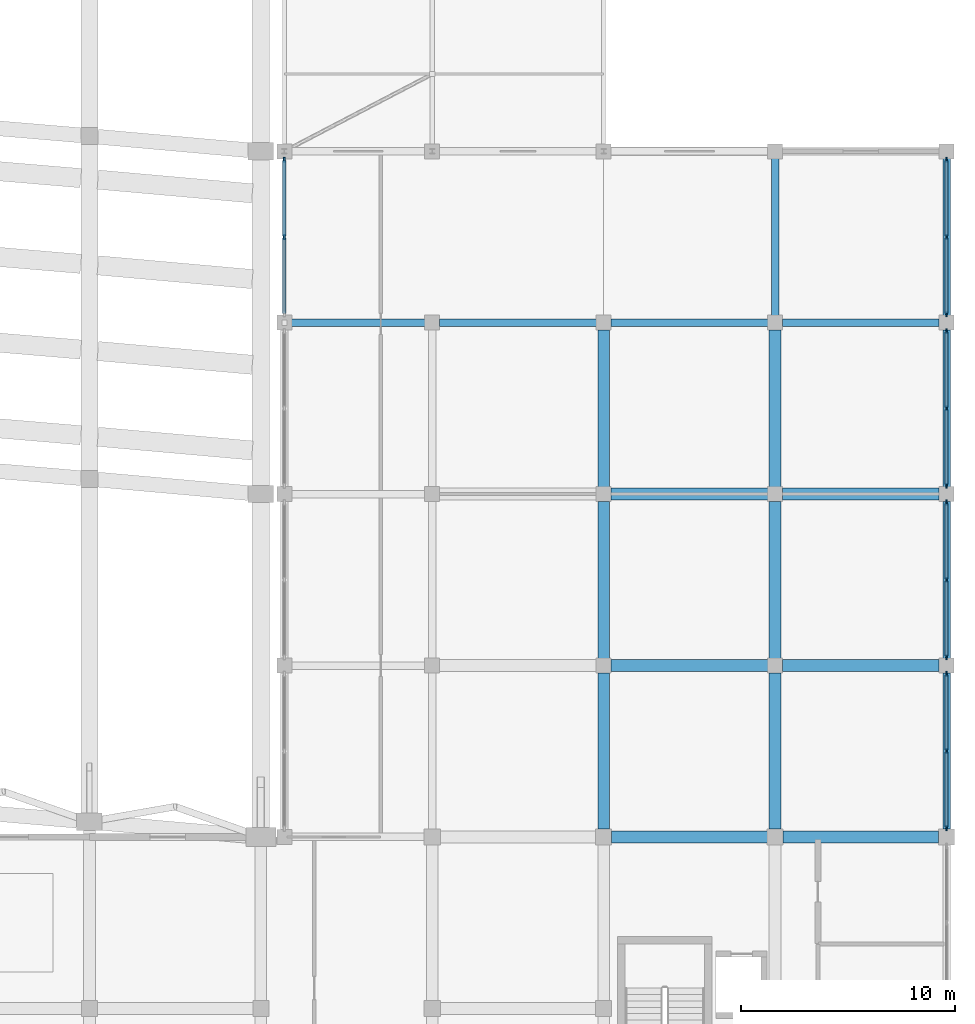
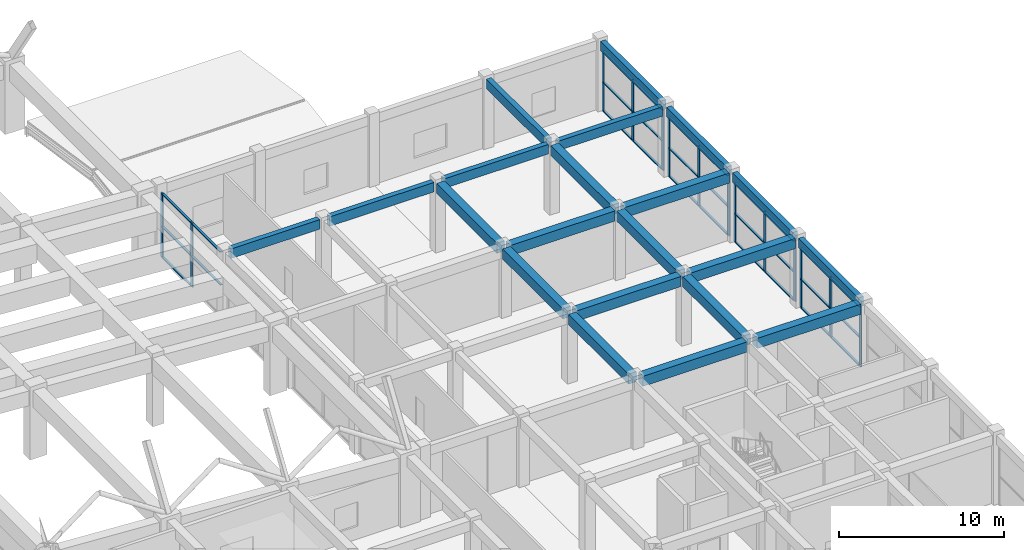
# One storey, part 38 of 69: 43 members, 21 beams, 5 elements without a shape of their own.
"""IFC4 building model written with IfcOpenShell, lengths in metres."""

from ifc_helpers import new_model, si_unit, direction, frame, origin, origin_2d, place, context, subcontext, project, spatial, rectangle, extrude, material, material_profile, profile_set, type_object, element, aggregate, save


model = new_model("IFC4")

# Units and contexts
model_context = context("Model", 3, precision=1e-05, world=origin(), true_north=direction((0.0, 1.0)))
body_context = subcontext(model_context, "Body", "Model", "MODEL_VIEW")
ifc_project = project(units=[si_unit("LENGTHUNIT", "METRE"), si_unit("AREAUNIT", "SQUARE_METRE"), si_unit("VOLUMEUNIT", "CUBIC_METRE"), si_unit("PLANEANGLEUNIT", "RADIAN"), si_unit("MASSUNIT", "GRAM", prefix="KILO")], contexts=[model_context])

# Site, building, storey
site_placement = place(None, origin())
site = spatial("IfcSite", under=ifc_project, at=site_placement, CompositionType="ELEMENT")
building_placement = place(site_placement, origin())
building = spatial("IfcBuilding", under=site, at=building_placement, Name="Kenh Van Central Station", CompositionType="ELEMENT")
storey_placement = place(building_placement, frame((0.0, 0.0, 5.39990234375)))
storey = spatial("IfcBuildingStorey", under=building, at=storey_placement, Name="L01", CompositionType="ELEMENT", Elevation=5.39990234375)

# Beams
ifc_material_1 = material(Name="Concrete C35/45", Category="concrete")
ifc_material_profile_1 = material_profile(ifc_material_1, rectangle(XDim=0.550048828125, YDim=0.75, at=origin_2d()), Name="RC 550x750")
ifc_profile_set_1 = profile_set([ifc_material_profile_1], Name="Concrete C35/45")
beam_type_1 = type_object("IfcBeamType", Name="BM-RC-550x750", PredefinedType="BEAM", material=ifc_profile_set_1)
for number, where, z_axis, x_axis, name in (
    (1, (160.364990234375, 64.0, 4.76513671875), (1.0, 0.0, 0.0), (0.0, 1.0, 0.0), "L01 beam 0739"),
    (2, (168.364990234375, 64.0, 4.76513671875), (1.0, 0.0, 0.0), (0.0, 1.0, 0.0), "L01 beam 0740"),
):
    element("IfcBeam", number, at=place(storey_placement, frame(where, z_axis=z_axis, x_axis=x_axis)), inside=storey, type_object=beam_type_1, Name=name, PredefinedType="BEAM", context=body_context, shape_type="SweptSolid", body=[
        extrude(rectangle(XDim=0.550048828125, YDim=0.75, at=origin_2d()), origin(), (0.0, 0.0, 1.0), 7.27001953125),
    ])
for number, where, z_axis, x_axis, name in (
    (3, (160.340087890625, 72.0, 4.76513671875), (1.0, 0.0, 0.0), (0.0, 1.0, 0.0), "L01 beam 0743"),
    (4, (168.340087890625, 72.0, 4.76513671875), (1.0, 0.0, 0.0), (0.0, 1.0, 0.0), "L01 beam 0744"),
    (5, (160.340087890625, 80.0, 4.76513671875), (1.0, 0.0, 0.0), (0.0, 1.0, 0.0), "L01 beam 0747"),
    (6, (168.340087890625, 80.0, 4.76513671875), (1.0, 0.0, 0.0), (0.0, 1.0, 0.0), "L01 beam 0748"),
):
    element("IfcBeam", number, at=place(storey_placement, frame(where, z_axis=z_axis, x_axis=x_axis)), inside=storey, type_object=beam_type_1, Name=name, PredefinedType="BEAM", context=body_context, shape_type="SweptSolid", body=[
        extrude(rectangle(XDim=0.550048828125, YDim=0.75, at=origin_2d()), origin(), (0.0, 0.0, 1.0), 7.31982421875),
    ])
beam_1_placement = place(storey_placement, frame((160.0, 64.364990234375, 4.76513671875), z_axis=(0.0, 1.0, 0.0), x_axis=(-1.0, 0.0, 0.0)))
element("IfcBeam", 7, at=beam_1_placement, inside=storey, type_object=beam_type_1, Name="L01 beam 0889", PredefinedType="BEAM", context=body_context, shape_type="SweptSolid", body=[
    extrude(rectangle(XDim=0.550048828125, YDim=0.75, at=origin_2d()), origin(), (0.0, 0.0, 1.0), 7.294921875),
])
for number, where, z_axis, x_axis, name in (
    (8, (160.0, 72.340087890625, 4.76513671875), (0.0, 1.0, 0.0), (-1.0, 0.0, 0.0), "L01 beam 0890"),
    (9, (160.0, 80.340087890625, 4.76513671875), (0.0, 1.0, 0.0), (-1.0, 0.0, 0.0), "L01 beam 0891"),
):
    element("IfcBeam", number, at=place(storey_placement, frame(where, z_axis=z_axis, x_axis=x_axis)), inside=storey, type_object=beam_type_1, Name=name, PredefinedType="BEAM", context=body_context, shape_type="SweptSolid", body=[
        extrude(rectangle(XDim=0.550048828125, YDim=0.75, at=origin_2d()), origin(), (0.0, 0.0, 1.0), 7.31982421875),
    ])
beam_2_placement = place(storey_placement, frame((168.0, 64.364990234375, 4.76513671875), z_axis=(0.0, 1.0, 0.0), x_axis=(-1.0, 0.0, 0.0)))
element("IfcBeam", 10, at=beam_2_placement, inside=storey, type_object=beam_type_1, Name="L01 beam 0899", PredefinedType="BEAM", context=body_context, shape_type="SweptSolid", body=[
    extrude(rectangle(XDim=0.550048828125, YDim=0.75, at=origin_2d()), origin(), (0.0, 0.0, 1.0), 7.294921875),
])
for number, where, z_axis, x_axis, name in (
    (11, (168.0, 72.340087890625, 4.76513671875), (0.0, 1.0, 0.0), (-1.0, 0.0, 0.0), "L01 beam 0900"),
    (12, (168.0, 80.340087890625, 4.76513671875), (0.0, 1.0, 0.0), (-1.0, 0.0, 0.0), "L01 beam 0901"),
):
    element("IfcBeam", number, at=place(storey_placement, frame(where, z_axis=z_axis, x_axis=x_axis)), inside=storey, type_object=beam_type_1, Name=name, PredefinedType="BEAM", context=body_context, shape_type="SweptSolid", body=[
        extrude(rectangle(XDim=0.550048828125, YDim=0.75, at=origin_2d()), origin(), (0.0, 0.0, 1.0), 7.31982421875),
    ])

# Curtain wall, members
ifc_material_2 = material(Name="Champagne anodised aluminium", Category="aluminium")
curtain_wall_type_1 = type_object("IfcCurtainWallType", Name="CW-OPER-A", PredefinedType="NOTDEFINED", material=ifc_material_2)
curtain_wall_1_placement = place(storey_placement, origin())
curtain_wall_1 = element("IfcCurtainWall", 13, at=curtain_wall_1_placement, inside=storey, type_object=curtain_wall_type_1, Name="L01 curtain wall 144", PredefinedType="NOTDEFINED")
ifc_material_profile_2 = material_profile(ifc_material_2, rectangle(XDim=0.087890625, YDim=0.239990234375, at=origin_2d()), Name="AL 88x240")
ifc_profile_set_2 = profile_set([ifc_material_profile_2], Name="Champagne anodised aluminium")
member_type_1 = type_object("IfcMemberType", Name="CWM-60x140", PredefinedType="MULLION", material=ifc_profile_set_2)
member_1_placement = place(storey_placement, frame((176.0, 64.4189453125, 0.0), z_axis=(0.0, 0.0, 1.0), x_axis=(-1.0, 0.0, 0.0)))
member_1 = element("IfcMember", 14, at=member_1_placement, type_object=member_type_1, Name="CW-07 mullion 1", PredefinedType="MULLION", context=body_context, shape_type="SweptSolid", body=[
    extrude(rectangle(XDim=0.087890625, YDim=0.239990234375, at=origin_2d()), origin(), (0.0, 0.0, 1.0), 4.440185546875),
])
member_2_placement = place(storey_placement, frame((176.0, 68.012451171875, 0.0), z_axis=(0.0, 0.0, 1.0), x_axis=(-1.0, 0.0, 0.0)))
member_2 = element("IfcMember", 15, at=member_2_placement, type_object=member_type_1, Name="CW-07 mullion 2", PredefinedType="MULLION", context=body_context, shape_type="SweptSolid", body=[
    extrude(rectangle(XDim=0.087890625, YDim=0.239990234375, at=origin_2d()), origin(), (0.0, 0.0, 1.0), 4.440185546875),
])
member_3_placement = place(storey_placement, frame((176.0, 71.60595703125, 0.0), z_axis=(0.0, 0.0, 1.0), x_axis=(-1.0, 0.0, 0.0)))
member_3 = element("IfcMember", 16, at=member_3_placement, type_object=member_type_1, Name="CW-07 mullion 3", PredefinedType="MULLION", context=body_context, shape_type="SweptSolid", body=[
    extrude(rectangle(XDim=0.087890625, YDim=0.239990234375, at=origin_2d()), origin(), (0.0, 0.0, 1.0), 4.440185546875),
])

curtain_wall_2_placement = place(storey_placement, origin())
curtain_wall_2 = element("IfcCurtainWall", 17, at=curtain_wall_2_placement, inside=storey, type_object=curtain_wall_type_1, Name="L01 curtain wall 145", PredefinedType="NOTDEFINED")
member_4_placement = place(storey_placement, frame((176.0, 72.39404296875, 0.0), z_axis=(0.0, 0.0, 1.0), x_axis=(-1.0, 0.0, 0.0)))
member_4 = element("IfcMember", 18, at=member_4_placement, type_object=member_type_1, Name="CW-07 mullion 1", PredefinedType="MULLION", context=body_context, shape_type="SweptSolid", body=[
    extrude(rectangle(XDim=0.087890625, YDim=0.239990234375, at=origin_2d()), origin(), (0.0, 0.0, 1.0), 4.440185546875),
])
member_5_placement = place(storey_placement, frame((176.0, 76.0, 0.0), z_axis=(0.0, 0.0, 1.0), x_axis=(-1.0, 0.0, 0.0)))
member_5 = element("IfcMember", 19, at=member_5_placement, type_object=member_type_1, Name="CW-07 mullion 2", PredefinedType="MULLION", context=body_context, shape_type="SweptSolid", body=[
    extrude(rectangle(XDim=0.087890625, YDim=0.239990234375, at=origin_2d()), origin(), (0.0, 0.0, 1.0), 4.440185546875),
])
member_6_placement = place(storey_placement, frame((176.0, 79.60595703125, 0.0), z_axis=(0.0, 0.0, 1.0), x_axis=(-1.0, 0.0, 0.0)))
member_6 = element("IfcMember", 20, at=member_6_placement, type_object=member_type_1, Name="CW-07 mullion 3", PredefinedType="MULLION", context=body_context, shape_type="SweptSolid", body=[
    extrude(rectangle(XDim=0.087890625, YDim=0.239990234375, at=origin_2d()), origin(), (0.0, 0.0, 1.0), 4.440185546875),
])

curtain_wall_3_placement = place(storey_placement, origin())
curtain_wall_3 = element("IfcCurtainWall", 21, at=curtain_wall_3_placement, inside=storey, type_object=curtain_wall_type_1, Name="L01 curtain wall 146", PredefinedType="NOTDEFINED")
member_7_placement = place(storey_placement, frame((176.0, 80.39404296875, 0.0), z_axis=(0.0, 0.0, 1.0), x_axis=(-1.0, 0.0, 0.0)))
member_7 = element("IfcMember", 22, at=member_7_placement, type_object=member_type_1, Name="CW-07 mullion 1", PredefinedType="MULLION", context=body_context, shape_type="SweptSolid", body=[
    extrude(rectangle(XDim=0.087890625, YDim=0.239990234375, at=origin_2d()), origin(), (0.0, 0.0, 1.0), 4.440185546875),
])
member_8_placement = place(storey_placement, frame((176.0, 84.0, 0.0), z_axis=(0.0, 0.0, 1.0), x_axis=(-1.0, 0.0, 0.0)))
member_8 = element("IfcMember", 23, at=member_8_placement, type_object=member_type_1, Name="CW-07 mullion 2", PredefinedType="MULLION", context=body_context, shape_type="SweptSolid", body=[
    extrude(rectangle(XDim=0.087890625, YDim=0.239990234375, at=origin_2d()), origin(), (0.0, 0.0, 1.0), 4.440185546875),
])
member_9_placement = place(storey_placement, frame((176.0, 87.60595703125, 0.0), z_axis=(0.0, 0.0, 1.0), x_axis=(-1.0, 0.0, 0.0)))
member_9 = element("IfcMember", 24, at=member_9_placement, type_object=member_type_1, Name="CW-07 mullion 3", PredefinedType="MULLION", context=body_context, shape_type="SweptSolid", body=[
    extrude(rectangle(XDim=0.087890625, YDim=0.239990234375, at=origin_2d()), origin(), (0.0, 0.0, 1.0), 4.440185546875),
])

curtain_wall_4_placement = place(storey_placement, origin())
curtain_wall_4 = element("IfcCurtainWall", 25, at=curtain_wall_4_placement, inside=storey, type_object=curtain_wall_type_1, Name="L01 curtain wall 147", PredefinedType="NOTDEFINED")
member_10_placement = place(storey_placement, frame((176.0, 88.39404296875, 0.0), z_axis=(0.0, 0.0, 1.0), x_axis=(-1.0, 0.0, 0.0)))
member_10 = element("IfcMember", 26, at=member_10_placement, type_object=member_type_1, Name="CW-07 mullion 1", PredefinedType="MULLION", context=body_context, shape_type="SweptSolid", body=[
    extrude(rectangle(XDim=0.087890625, YDim=0.239990234375, at=origin_2d()), origin(), (0.0, 0.0, 1.0), 4.47998046875),
])
member_11_placement = place(storey_placement, frame((176.0, 92.0, 0.0), z_axis=(0.0, 0.0, 1.0), x_axis=(-1.0, 0.0, 0.0)))
member_11 = element("IfcMember", 27, at=member_11_placement, type_object=member_type_1, Name="CW-07 mullion 2", PredefinedType="MULLION", context=body_context, shape_type="SweptSolid", body=[
    extrude(rectangle(XDim=0.087890625, YDim=0.239990234375, at=origin_2d()), origin(), (0.0, 0.0, 1.0), 4.47998046875),
])
member_12_placement = place(storey_placement, frame((176.0, 95.60595703125, 0.0), z_axis=(0.0, 0.0, 1.0), x_axis=(-1.0, 0.0, 0.0)))
member_12 = element("IfcMember", 28, at=member_12_placement, type_object=member_type_1, Name="CW-07 mullion 3", PredefinedType="MULLION", context=body_context, shape_type="SweptSolid", body=[
    extrude(rectangle(XDim=0.087890625, YDim=0.239990234375, at=origin_2d()), origin(), (0.0, 0.0, 1.0), 4.47998046875),
])

curtain_wall_type_2 = type_object("IfcCurtainWallType", Name="CW-OPER-B", PredefinedType="NOTDEFINED", material=ifc_material_2)
curtain_wall_5_placement = place(storey_placement, origin())
curtain_wall_5 = element("IfcCurtainWall", 29, at=curtain_wall_5_placement, inside=storey, type_object=curtain_wall_type_2, Name="L01 curtain wall 148", PredefinedType="NOTDEFINED")
member_13_placement = place(storey_placement, frame((145.10009765625, 95.60595703125, 0.0), z_axis=(0.0, 0.0, 1.0), x_axis=(1.0, 0.0, 0.0)))
member_13 = element("IfcMember", 30, at=member_13_placement, type_object=member_type_1, Name="CW-08 mullion 1", PredefinedType="MULLION", context=body_context, shape_type="SweptSolid", body=[
    extrude(rectangle(XDim=0.087890625, YDim=0.239990234375, at=origin_2d()), origin(), (0.0, 0.0, 1.0), 4.755615234375),
])
member_14_placement = place(storey_placement, frame((145.10009765625, 92.0, 0.0), z_axis=(0.0, 0.0, 1.0), x_axis=(1.0, 0.0, 0.0)))
member_14 = element("IfcMember", 31, at=member_14_placement, type_object=member_type_1, Name="CW-08 mullion 2", PredefinedType="MULLION", context=body_context, shape_type="SweptSolid", body=[
    extrude(rectangle(XDim=0.087890625, YDim=0.239990234375, at=origin_2d()), origin(), (0.0, 0.0, 1.0), 4.755615234375),
])

# Member
ifc_material_profile_3 = material_profile(ifc_material_2, rectangle(XDim=0.155029296875, YDim=0.072021484375, at=origin_2d()), Name="AL 155x72")
ifc_profile_set_3 = profile_set([ifc_material_profile_3], Name="Champagne anodised aluminium")
member_type_2 = type_object("IfcMemberType", Name="CWT-120x60", PredefinedType="USERDEFINED", material=ifc_profile_set_3)
member_15_placement = place(storey_placement, frame((176.0, 64.462890625, 0.0361328125), z_axis=(0.0, 1.0, 0.0), x_axis=(-1.0, 0.0, 0.0)))
member_15 = element("IfcMember", 32, at=member_15_placement, type_object=member_type_2, Name="CW-07 transom 1.1", ObjectType="TRANSOM", PredefinedType="USERDEFINED", context=body_context, shape_type="SweptSolid", body=[
    extrude(rectangle(XDim=0.155029296875, YDim=0.072021484375, at=origin_2d()), origin(), (0.0, 0.0, 1.0), 3.505615234375),
])

member_16_placement = place(storey_placement, frame((176.0, 64.462890625, 2.13134765625), z_axis=(0.0, 1.0, 0.0), x_axis=(-1.0, 0.0, 0.0)))
member_16 = element("IfcMember", 33, at=member_16_placement, type_object=member_type_2, Name="CW-07 transom 1.2", ObjectType="TRANSOM", PredefinedType="USERDEFINED", context=body_context, shape_type="SweptSolid", body=[
    extrude(rectangle(XDim=0.155029296875, YDim=0.072021484375, at=origin_2d()), origin(), (0.0, 0.0, 1.0), 3.505615234375),
])

member_17_placement = place(storey_placement, frame((176.0, 64.462890625, 4.404052734375), z_axis=(0.0, 1.0, 0.0), x_axis=(-1.0, 0.0, 0.0)))
member_17 = element("IfcMember", 34, at=member_17_placement, type_object=member_type_2, Name="CW-07 transom 1.3", ObjectType="TRANSOM", PredefinedType="USERDEFINED", context=body_context, shape_type="SweptSolid", body=[
    extrude(rectangle(XDim=0.155029296875, YDim=0.072021484375, at=origin_2d()), origin(), (0.0, 0.0, 1.0), 3.505615234375),
])

member_18_placement = place(storey_placement, frame((176.0, 68.056396484375, 0.0361328125), z_axis=(0.0, 1.0, 0.0), x_axis=(-1.0, 0.0, 0.0)))
member_18 = element("IfcMember", 35, at=member_18_placement, type_object=member_type_2, Name="CW-07 transom 2.1", ObjectType="TRANSOM", PredefinedType="USERDEFINED", context=body_context, shape_type="SweptSolid", body=[
    extrude(rectangle(XDim=0.155029296875, YDim=0.072021484375, at=origin_2d()), origin(), (0.0, 0.0, 1.0), 3.505615234375),
])

member_19_placement = place(storey_placement, frame((176.0, 68.056396484375, 2.13134765625), z_axis=(0.0, 1.0, 0.0), x_axis=(-1.0, 0.0, 0.0)))
member_19 = element("IfcMember", 36, at=member_19_placement, type_object=member_type_2, Name="CW-07 transom 2.2", ObjectType="TRANSOM", PredefinedType="USERDEFINED", context=body_context, shape_type="SweptSolid", body=[
    extrude(rectangle(XDim=0.155029296875, YDim=0.072021484375, at=origin_2d()), origin(), (0.0, 0.0, 1.0), 3.505615234375),
])

member_20_placement = place(storey_placement, frame((176.0, 68.056396484375, 4.404052734375), z_axis=(0.0, 1.0, 0.0), x_axis=(-1.0, 0.0, 0.0)))
member_20 = element("IfcMember", 37, at=member_20_placement, type_object=member_type_2, Name="CW-07 transom 2.3", ObjectType="TRANSOM", PredefinedType="USERDEFINED", context=body_context, shape_type="SweptSolid", body=[
    extrude(rectangle(XDim=0.155029296875, YDim=0.072021484375, at=origin_2d()), origin(), (0.0, 0.0, 1.0), 3.505615234375),
])

aggregate(curtain_wall_1, [member_1, member_2, member_3, member_15, member_16, member_17, member_18, member_19, member_20])

member_21_placement = place(storey_placement, frame((176.0, 72.43798828125, 0.0361328125), z_axis=(0.0, 1.0, 0.0), x_axis=(-1.0, 0.0, 0.0)))
member_21 = element("IfcMember", 38, at=member_21_placement, type_object=member_type_2, Name="CW-07 transom 1.1", ObjectType="TRANSOM", PredefinedType="USERDEFINED", context=body_context, shape_type="SweptSolid", body=[
    extrude(rectangle(XDim=0.155029296875, YDim=0.072021484375, at=origin_2d()), origin(), (0.0, 0.0, 1.0), 3.51806640625),
])

member_22_placement = place(storey_placement, frame((176.0, 72.43798828125, 2.13134765625), z_axis=(0.0, 1.0, 0.0), x_axis=(-1.0, 0.0, 0.0)))
member_22 = element("IfcMember", 39, at=member_22_placement, type_object=member_type_2, Name="CW-07 transom 1.2", ObjectType="TRANSOM", PredefinedType="USERDEFINED", context=body_context, shape_type="SweptSolid", body=[
    extrude(rectangle(XDim=0.155029296875, YDim=0.072021484375, at=origin_2d()), origin(), (0.0, 0.0, 1.0), 3.51806640625),
])

member_23_placement = place(storey_placement, frame((176.0, 72.43798828125, 4.404052734375), z_axis=(0.0, 1.0, 0.0), x_axis=(-1.0, 0.0, 0.0)))
member_23 = element("IfcMember", 40, at=member_23_placement, type_object=member_type_2, Name="CW-07 transom 1.3", ObjectType="TRANSOM", PredefinedType="USERDEFINED", context=body_context, shape_type="SweptSolid", body=[
    extrude(rectangle(XDim=0.155029296875, YDim=0.072021484375, at=origin_2d()), origin(), (0.0, 0.0, 1.0), 3.51806640625),
])

member_24_placement = place(storey_placement, frame((176.0, 76.0439453125, 0.0361328125), z_axis=(0.0, 1.0, 0.0), x_axis=(-1.0, 0.0, 0.0)))
member_24 = element("IfcMember", 41, at=member_24_placement, type_object=member_type_2, Name="CW-07 transom 2.1", ObjectType="TRANSOM", PredefinedType="USERDEFINED", context=body_context, shape_type="SweptSolid", body=[
    extrude(rectangle(XDim=0.155029296875, YDim=0.072021484375, at=origin_2d()), origin(), (0.0, 0.0, 1.0), 3.51806640625),
])

member_25_placement = place(storey_placement, frame((176.0, 76.0439453125, 2.13134765625), z_axis=(0.0, 1.0, 0.0), x_axis=(-1.0, 0.0, 0.0)))
member_25 = element("IfcMember", 42, at=member_25_placement, type_object=member_type_2, Name="CW-07 transom 2.2", ObjectType="TRANSOM", PredefinedType="USERDEFINED", context=body_context, shape_type="SweptSolid", body=[
    extrude(rectangle(XDim=0.155029296875, YDim=0.072021484375, at=origin_2d()), origin(), (0.0, 0.0, 1.0), 3.51806640625),
])

member_26_placement = place(storey_placement, frame((176.0, 76.0439453125, 4.404052734375), z_axis=(0.0, 1.0, 0.0), x_axis=(-1.0, 0.0, 0.0)))
member_26 = element("IfcMember", 43, at=member_26_placement, type_object=member_type_2, Name="CW-07 transom 2.3", ObjectType="TRANSOM", PredefinedType="USERDEFINED", context=body_context, shape_type="SweptSolid", body=[
    extrude(rectangle(XDim=0.155029296875, YDim=0.072021484375, at=origin_2d()), origin(), (0.0, 0.0, 1.0), 3.51806640625),
])

aggregate(curtain_wall_2, [member_4, member_5, member_6, member_21, member_22, member_23, member_24, member_25, member_26])

member_27_placement = place(storey_placement, frame((176.0, 80.43798828125, 0.0361328125), z_axis=(0.0, 1.0, 0.0), x_axis=(-1.0, 0.0, 0.0)))
member_27 = element("IfcMember", 44, at=member_27_placement, type_object=member_type_2, Name="CW-07 transom 1.1", ObjectType="TRANSOM", PredefinedType="USERDEFINED", context=body_context, shape_type="SweptSolid", body=[
    extrude(rectangle(XDim=0.155029296875, YDim=0.072021484375, at=origin_2d()), origin(), (0.0, 0.0, 1.0), 3.51806640625),
])

member_28_placement = place(storey_placement, frame((176.0, 80.43798828125, 2.13134765625), z_axis=(0.0, 1.0, 0.0), x_axis=(-1.0, 0.0, 0.0)))
member_28 = element("IfcMember", 45, at=member_28_placement, type_object=member_type_2, Name="CW-07 transom 1.2", ObjectType="TRANSOM", PredefinedType="USERDEFINED", context=body_context, shape_type="SweptSolid", body=[
    extrude(rectangle(XDim=0.155029296875, YDim=0.072021484375, at=origin_2d()), origin(), (0.0, 0.0, 1.0), 3.51806640625),
])

member_29_placement = place(storey_placement, frame((176.0, 80.43798828125, 4.404052734375), z_axis=(0.0, 1.0, 0.0), x_axis=(-1.0, 0.0, 0.0)))
member_29 = element("IfcMember", 46, at=member_29_placement, type_object=member_type_2, Name="CW-07 transom 1.3", ObjectType="TRANSOM", PredefinedType="USERDEFINED", context=body_context, shape_type="SweptSolid", body=[
    extrude(rectangle(XDim=0.155029296875, YDim=0.072021484375, at=origin_2d()), origin(), (0.0, 0.0, 1.0), 3.51806640625),
])

member_30_placement = place(storey_placement, frame((176.0, 84.0439453125, 0.0361328125), z_axis=(0.0, 1.0, 0.0), x_axis=(-1.0, 0.0, 0.0)))
member_30 = element("IfcMember", 47, at=member_30_placement, type_object=member_type_2, Name="CW-07 transom 2.1", ObjectType="TRANSOM", PredefinedType="USERDEFINED", context=body_context, shape_type="SweptSolid", body=[
    extrude(rectangle(XDim=0.155029296875, YDim=0.072021484375, at=origin_2d()), origin(), (0.0, 0.0, 1.0), 3.51806640625),
])

member_31_placement = place(storey_placement, frame((176.0, 84.0439453125, 2.13134765625), z_axis=(0.0, 1.0, 0.0), x_axis=(-1.0, 0.0, 0.0)))
member_31 = element("IfcMember", 48, at=member_31_placement, type_object=member_type_2, Name="CW-07 transom 2.2", ObjectType="TRANSOM", PredefinedType="USERDEFINED", context=body_context, shape_type="SweptSolid", body=[
    extrude(rectangle(XDim=0.155029296875, YDim=0.072021484375, at=origin_2d()), origin(), (0.0, 0.0, 1.0), 3.51806640625),
])

member_32_placement = place(storey_placement, frame((176.0, 84.0439453125, 4.404052734375), z_axis=(0.0, 1.0, 0.0), x_axis=(-1.0, 0.0, 0.0)))
member_32 = element("IfcMember", 49, at=member_32_placement, type_object=member_type_2, Name="CW-07 transom 2.3", ObjectType="TRANSOM", PredefinedType="USERDEFINED", context=body_context, shape_type="SweptSolid", body=[
    extrude(rectangle(XDim=0.155029296875, YDim=0.072021484375, at=origin_2d()), origin(), (0.0, 0.0, 1.0), 3.51806640625),
])

aggregate(curtain_wall_3, [member_7, member_8, member_9, member_27, member_28, member_29, member_30, member_31, member_32])

member_33_placement = place(storey_placement, frame((176.0, 88.43798828125, 0.0361328125), z_axis=(0.0, 1.0, 0.0), x_axis=(-1.0, 0.0, 0.0)))
member_33 = element("IfcMember", 50, at=member_33_placement, type_object=member_type_2, Name="CW-07 transom 1.1", ObjectType="TRANSOM", PredefinedType="USERDEFINED", context=body_context, shape_type="SweptSolid", body=[
    extrude(rectangle(XDim=0.155029296875, YDim=0.072021484375, at=origin_2d()), origin(), (0.0, 0.0, 1.0), 3.51806640625),
])

member_34_placement = place(storey_placement, frame((176.0, 88.43798828125, 2.150390625), z_axis=(0.0, 1.0, 0.0), x_axis=(-1.0, 0.0, 0.0)))
member_34 = element("IfcMember", 51, at=member_34_placement, type_object=member_type_2, Name="CW-07 transom 1.2", ObjectType="TRANSOM", PredefinedType="USERDEFINED", context=body_context, shape_type="SweptSolid", body=[
    extrude(rectangle(XDim=0.155029296875, YDim=0.072021484375, at=origin_2d()), origin(), (0.0, 0.0, 1.0), 3.51806640625),
])

member_35_placement = place(storey_placement, frame((176.0, 88.43798828125, 4.444091796875), z_axis=(0.0, 1.0, 0.0), x_axis=(-1.0, 0.0, 0.0)))
member_35 = element("IfcMember", 52, at=member_35_placement, type_object=member_type_2, Name="CW-07 transom 1.3", ObjectType="TRANSOM", PredefinedType="USERDEFINED", context=body_context, shape_type="SweptSolid", body=[
    extrude(rectangle(XDim=0.155029296875, YDim=0.072021484375, at=origin_2d()), origin(), (0.0, 0.0, 1.0), 3.51806640625),
])

member_36_placement = place(storey_placement, frame((176.0, 92.0439453125, 0.0361328125), z_axis=(0.0, 1.0, 0.0), x_axis=(-1.0, 0.0, 0.0)))
member_36 = element("IfcMember", 53, at=member_36_placement, type_object=member_type_2, Name="CW-07 transom 2.1", ObjectType="TRANSOM", PredefinedType="USERDEFINED", context=body_context, shape_type="SweptSolid", body=[
    extrude(rectangle(XDim=0.155029296875, YDim=0.072021484375, at=origin_2d()), origin(), (0.0, 0.0, 1.0), 3.51806640625),
])

member_37_placement = place(storey_placement, frame((176.0, 92.0439453125, 2.150390625), z_axis=(0.0, 1.0, 0.0), x_axis=(-1.0, 0.0, 0.0)))
member_37 = element("IfcMember", 54, at=member_37_placement, type_object=member_type_2, Name="CW-07 transom 2.2", ObjectType="TRANSOM", PredefinedType="USERDEFINED", context=body_context, shape_type="SweptSolid", body=[
    extrude(rectangle(XDim=0.155029296875, YDim=0.072021484375, at=origin_2d()), origin(), (0.0, 0.0, 1.0), 3.51806640625),
])

member_38_placement = place(storey_placement, frame((176.0, 92.0439453125, 4.444091796875), z_axis=(0.0, 1.0, 0.0), x_axis=(-1.0, 0.0, 0.0)))
member_38 = element("IfcMember", 55, at=member_38_placement, type_object=member_type_2, Name="CW-07 transom 2.3", ObjectType="TRANSOM", PredefinedType="USERDEFINED", context=body_context, shape_type="SweptSolid", body=[
    extrude(rectangle(XDim=0.155029296875, YDim=0.072021484375, at=origin_2d()), origin(), (0.0, 0.0, 1.0), 3.51806640625),
])

aggregate(curtain_wall_4, [member_10, member_11, member_12, member_33, member_34, member_35, member_36, member_37, member_38])

member_39_placement = place(storey_placement, frame((145.10009765625, 95.56201171875, 0.0361328125), z_axis=(0.0, -1.0, 0.0), x_axis=(1.0, 0.0, 0.0)))
member_39 = element("IfcMember", 56, at=member_39_placement, type_object=member_type_2, Name="CW-08 transom 1.1", ObjectType="TRANSOM", PredefinedType="USERDEFINED", context=body_context, shape_type="SweptSolid", body=[
    extrude(rectangle(XDim=0.155029296875, YDim=0.072021484375, at=origin_2d()), origin(), (0.0, 0.0, 1.0), 3.51806640625),
])

member_40_placement = place(storey_placement, frame((145.10009765625, 95.56201171875, 2.28271484375), z_axis=(0.0, -1.0, 0.0), x_axis=(1.0, 0.0, 0.0)))
member_40 = element("IfcMember", 57, at=member_40_placement, type_object=member_type_2, Name="CW-08 transom 1.2", ObjectType="TRANSOM", PredefinedType="USERDEFINED", context=body_context, shape_type="SweptSolid", body=[
    extrude(rectangle(XDim=0.155029296875, YDim=0.072021484375, at=origin_2d()), origin(), (0.0, 0.0, 1.0), 3.51806640625),
])

member_41_placement = place(storey_placement, frame((145.10009765625, 95.56201171875, 4.7197265625), z_axis=(0.0, -1.0, 0.0), x_axis=(1.0, 0.0, 0.0)))
member_41 = element("IfcMember", 58, at=member_41_placement, type_object=member_type_2, Name="CW-08 transom 1.3", ObjectType="TRANSOM", PredefinedType="USERDEFINED", context=body_context, shape_type="SweptSolid", body=[
    extrude(rectangle(XDim=0.155029296875, YDim=0.072021484375, at=origin_2d()), origin(), (0.0, 0.0, 1.0), 3.51806640625),
])

member_42_placement = place(storey_placement, frame((145.10009765625, 91.9560546875, 2.28271484375), z_axis=(0.0, -1.0, 0.0), x_axis=(1.0, 0.0, 0.0)))
member_42 = element("IfcMember", 59, at=member_42_placement, type_object=member_type_2, Name="CW-08 transom 2.2", ObjectType="TRANSOM", PredefinedType="USERDEFINED", context=body_context, shape_type="SweptSolid", body=[
    extrude(rectangle(XDim=0.155029296875, YDim=0.072021484375, at=origin_2d()), origin(), (0.0, 0.0, 1.0), 3.51806640625),
])

member_43_placement = place(storey_placement, frame((145.10009765625, 91.9560546875, 4.7197265625), z_axis=(0.0, -1.0, 0.0), x_axis=(1.0, 0.0, 0.0)))
member_43 = element("IfcMember", 60, at=member_43_placement, type_object=member_type_2, Name="CW-08 transom 2.3", ObjectType="TRANSOM", PredefinedType="USERDEFINED", context=body_context, shape_type="SweptSolid", body=[
    extrude(rectangle(XDim=0.155029296875, YDim=0.072021484375, at=origin_2d()), origin(), (0.0, 0.0, 1.0), 3.51806640625),
])

aggregate(curtain_wall_5, [member_13, member_14, member_39, member_40, member_41, member_42, member_43])

# Beams
ifc_material_profile_4 = material_profile(ifc_material_1, rectangle(XDim=0.35009765625, YDim=0.699951171875, at=origin_2d()), Name="RC 350x700")
ifc_profile_set_4 = profile_set([ifc_material_profile_4], Name="Concrete C35/45")
beam_type_2 = type_object("IfcBeamType", Name="SPD-RC-350x700", PredefinedType="SPANDREL", material=ifc_profile_set_4)
beam_3_placement = place(storey_placement, frame((145.43994140625, 88.0, 4.830078125), z_axis=(1.0, 0.0, 0.0), x_axis=(0.0, 1.0, 0.0)))
element("IfcBeam", 61, at=beam_3_placement, inside=storey, type_object=beam_type_2, Name="L01 beam 0749", PredefinedType="SPANDREL", context=body_context, shape_type="SweptSolid", body=[
    extrude(rectangle(XDim=0.35009765625, YDim=0.699951171875, at=origin_2d()), origin(), (0.0, 0.0, 1.0), 6.219970703125),
])
for number, where, z_axis, x_axis, name in (
    (62, (152.340087890625, 88.0, 4.7900390625), (1.0, 0.0, 0.0), (0.0, 1.0, 0.0), "L01 beam 0750"),
    (63, (160.340087890625, 88.0, 4.7900390625), (1.0, 0.0, 0.0), (0.0, 1.0, 0.0), "L01 beam 0751"),
    (64, (168.340087890625, 88.0, 4.7900390625), (1.0, 0.0, 0.0), (0.0, 1.0, 0.0), "L01 beam 0752"),
    (65, (168.0, 88.340087890625, 4.830078125), (0.0, 1.0, 0.0), (-1.0, 0.0, 0.0), "L01 beam 0902"),
):
    element("IfcBeam", number, at=place(storey_placement, frame(where, z_axis=z_axis, x_axis=x_axis)), inside=storey, type_object=beam_type_2, Name=name, PredefinedType="SPANDREL", context=body_context, shape_type="SweptSolid", body=[
        extrude(rectangle(XDim=0.35009765625, YDim=0.699951171875, at=origin_2d()), origin(), (0.0, 0.0, 1.0), 7.31982421875),
    ])
beam_4_placement = place(storey_placement, frame((176.0, 64.364990234375, 4.7900390625), z_axis=(0.0, 1.0, 0.0), x_axis=(-1.0, 0.0, 0.0)))
element("IfcBeam", 66, at=beam_4_placement, inside=storey, type_object=beam_type_2, Name="L01 beam 0910", PredefinedType="SPANDREL", context=body_context, shape_type="SweptSolid", body=[
    extrude(rectangle(XDim=0.35009765625, YDim=0.699951171875, at=origin_2d()), origin(), (0.0, 0.0, 1.0), 7.294921875),
])
for number, where, z_axis, x_axis, name in (
    (67, (176.0, 72.340087890625, 4.7900390625), (0.0, 1.0, 0.0), (-1.0, 0.0, 0.0), "L01 beam 0911"),
    (68, (176.0, 80.340087890625, 4.7900390625), (0.0, 1.0, 0.0), (-1.0, 0.0, 0.0), "L01 beam 0912"),
    (69, (176.0, 88.340087890625, 4.830078125), (0.0, 1.0, 0.0), (-1.0, 0.0, 0.0), "L01 beam 0913"),
):
    element("IfcBeam", number, at=place(storey_placement, frame(where, z_axis=z_axis, x_axis=x_axis)), inside=storey, type_object=beam_type_2, Name=name, PredefinedType="SPANDREL", context=body_context, shape_type="SweptSolid", body=[
        extrude(rectangle(XDim=0.35009765625, YDim=0.699951171875, at=origin_2d()), origin(), (0.0, 0.0, 1.0), 7.31982421875),
    ])

save(model, "model.ifc")
